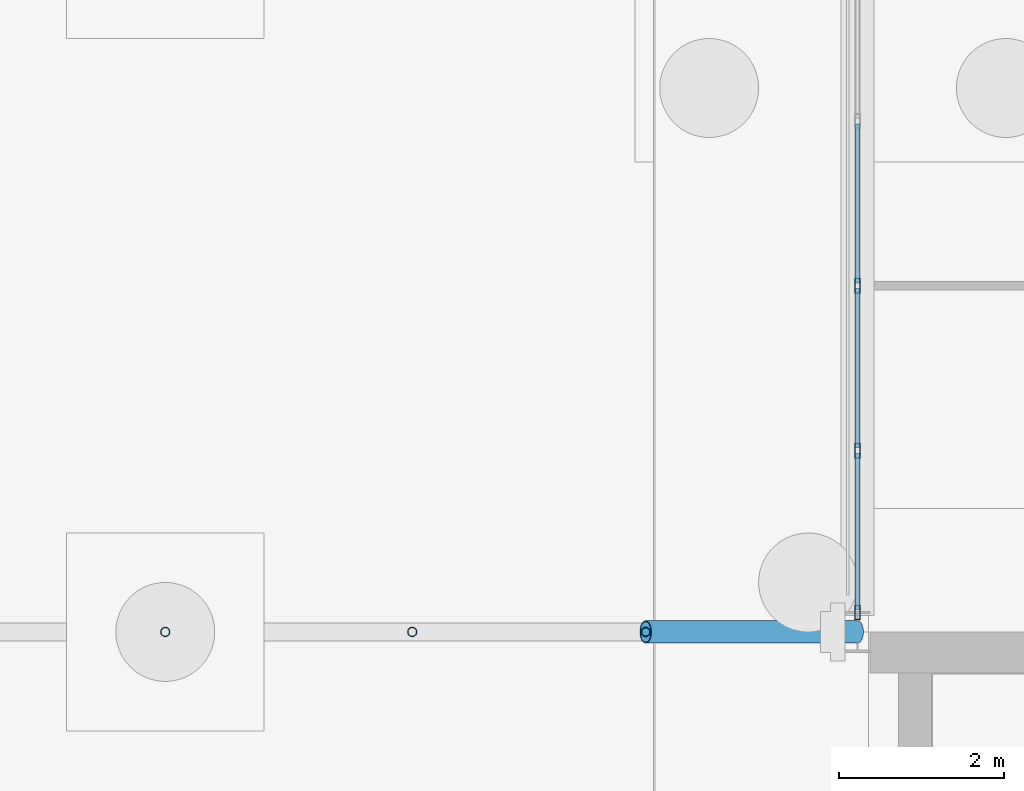
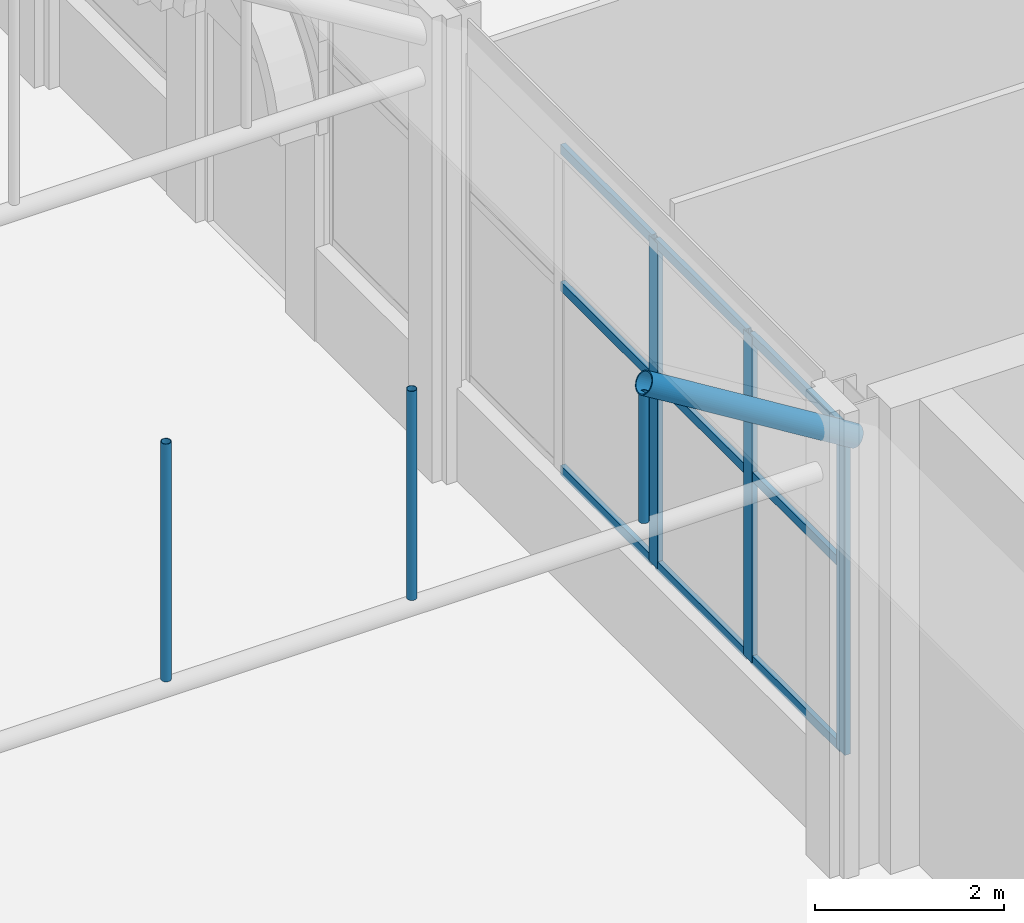
# One storey, part 145 of 212: 16 members, 1 element without a shape of its own.
"""IFC4 building model written with IfcOpenShell, lengths in metres."""

from ifc_helpers import new_model, si_unit, direction, frame, origin, origin_2d, place, context, subcontext, project, spatial, hollow_rectangle, hollow_circle, extrude, material, material_profile, profile_set, type_object, element, aggregate, save


model = new_model("IFC4")

# Units and contexts
model_context = context("Model", 3, precision=1e-05, world=origin(), true_north=direction((0.0, 1.0)))
body_context = subcontext(model_context, "Body", "Model", "MODEL_VIEW")
ifc_project = project(units=[si_unit("LENGTHUNIT", "METRE"), si_unit("AREAUNIT", "SQUARE_METRE"), si_unit("VOLUMEUNIT", "CUBIC_METRE"), si_unit("PLANEANGLEUNIT", "RADIAN"), si_unit("MASSUNIT", "GRAM", prefix="KILO")], contexts=[model_context])

# Site, building, storey
site_placement = place(None, origin())
site = spatial("IfcSite", under=ifc_project, at=site_placement, CompositionType="ELEMENT")
building_placement = place(site_placement, origin())
building = spatial("IfcBuilding", under=site, at=building_placement, Name="Catenary Quay Ferry Terminal", CompositionType="ELEMENT")
storey_placement = place(building_placement, origin())
storey = spatial("IfcBuildingStorey", under=building, at=storey_placement, Name="L00", CompositionType="ELEMENT", Elevation=0.0)

# Members
ifc_material_1 = material(Name="Steel S355", Category="steel")
ifc_material_profile_1 = material_profile(ifc_material_1, hollow_circle(Radius=0.05712890625, WallThickness=0.00634765625, at=origin_2d()), Name="CHS 114.3x6.3")
ifc_profile_set_1 = profile_set([ifc_material_profile_1], Name="Steel S355")
member_type_1 = type_object("IfcMemberType", Name="HG1 CHS 114.3x6.3", PredefinedType="POST", material=ifc_profile_set_1)
member_1_placement = place(storey_placement, frame((16.800048828125, 168.0, 5.205078125), z_axis=(0.0, 0.0, 1.0), x_axis=(1.0, 0.0, 0.0)))
element("IfcMember", 1, at=member_1_placement, inside=storey, type_object=member_type_1, Name="Hanger FC-13-03", PredefinedType="POST", context=body_context, shape_type="SweptSolid", body=[
    extrude(hollow_circle(Radius=0.05712890625, WallThickness=0.00634765625, at=origin_2d()), origin(), (0.0, 0.0, 1.0), 3.06494140625),
])
member_2_placement = place(storey_placement, frame((19.797119140625, 168.0, 5.205078125), z_axis=(0.0, 0.0, 1.0), x_axis=(1.0, 0.0, 0.0)))
element("IfcMember", 2, at=member_2_placement, inside=storey, type_object=member_type_1, Name="Hanger FC-13-04", PredefinedType="POST", context=body_context, shape_type="SweptSolid", body=[
    extrude(hollow_circle(Radius=0.05712890625, WallThickness=0.00634765625, at=origin_2d()), origin(), (0.0, 0.0, 1.0), 2.69580078125),
])
member_3_placement = place(storey_placement, frame((22.62890625, 168.0, 5.205078125), z_axis=(0.0, 0.0, 1.0), x_axis=(1.0, 0.0, 0.0)))
element("IfcMember", 3, at=member_3_placement, inside=storey, type_object=member_type_1, Name="Hanger FC-13-05", PredefinedType="POST", context=body_context, shape_type="SweptSolid", body=[
    extrude(hollow_circle(Radius=0.05712890625, WallThickness=0.00634765625, at=origin_2d()), origin(), (0.0, 0.0, 1.0), 1.64892578125),
])

# Curtain wall, members
ifc_material_2 = material(Name="Aluminium and glass", Category="aluminium")
curtain_wall_type = type_object("IfcCurtainWallType", Name="CWW1", PredefinedType="NOTDEFINED", material=ifc_material_2)
curtain_wall_placement = place(storey_placement, origin())
curtain_wall = element("IfcCurtainWall", 4, at=curtain_wall_placement, inside=storey, type_object=curtain_wall_type, Name="Wing curtain wall CW106", PredefinedType="NOTDEFINED")
ifc_material_3 = material(Name="Aluminium", Category="aluminium")
ifc_material_profile_2 = material_profile(ifc_material_3, hollow_rectangle(XDim=0.070068359375, YDim=0.179931640625, WallThickness=0.006103515625, at=origin_2d()), Name="MU3")
ifc_profile_set_2 = profile_set([ifc_material_profile_2], Name="Aluminium")
member_type_2 = type_object("IfcMemberType", Name="MU3", PredefinedType="MULLION", material=ifc_profile_set_2)
member_4_placement = place(storey_placement, frame((25.199951171875, 168.235107421875, 1.199951171875), z_axis=(0.0, 0.0, 1.0), x_axis=(-1.0, 0.0, 0.0)))
member_4 = element("IfcMember", 5, at=member_4_placement, type_object=member_type_2, Name="CW106 mullion 1", PredefinedType="MULLION", context=body_context, shape_type="SweptSolid", body=[
    extrude(hollow_rectangle(XDim=0.070068359375, YDim=0.179931640625, WallThickness=0.006103515625, at=origin_2d()), origin(), (0.0, 0.0, 1.0), 4.199951171875),
])
member_5_placement = place(storey_placement, frame((25.199951171875, 170.199951171875, 1.199951171875), z_axis=(0.0, 0.0, 1.0), x_axis=(-1.0, 0.0, 0.0)))
member_5 = element("IfcMember", 6, at=member_5_placement, type_object=member_type_2, Name="CW106 mullion 2", PredefinedType="MULLION", context=body_context, shape_type="SweptSolid", body=[
    extrude(hollow_rectangle(XDim=0.070068359375, YDim=0.179931640625, WallThickness=0.006103515625, at=origin_2d()), origin(), (0.0, 0.0, 1.0), 4.199951171875),
])
member_6_placement = place(storey_placement, frame((25.199951171875, 172.199951171875, 1.199951171875), z_axis=(0.0, 0.0, 1.0), x_axis=(-1.0, 0.0, 0.0)))
member_6 = element("IfcMember", 7, at=member_6_placement, type_object=member_type_2, Name="CW106 mullion 3", PredefinedType="MULLION", context=body_context, shape_type="SweptSolid", body=[
    extrude(hollow_rectangle(XDim=0.070068359375, YDim=0.179931640625, WallThickness=0.006103515625, at=origin_2d()), origin(), (0.0, 0.0, 1.0), 4.199951171875),
])
ifc_material_4 = material(Name="Aluminium", Category="aluminium")
ifc_material_profile_3 = material_profile(ifc_material_4, hollow_rectangle(XDim=0.06005859375, YDim=0.1201171875, WallThickness=0.0048828125, at=origin_2d()), Name="TR3")
ifc_profile_set_3 = profile_set([ifc_material_profile_3], Name="Aluminium")
member_type_3 = type_object("IfcMemberType", Name="TR3", PredefinedType="USERDEFINED", material=ifc_profile_set_3)
member_7_placement = place(storey_placement, frame((25.199951171875, 168.27001953125, 1.22998046875), z_axis=(0.0, 1.0, 0.0), x_axis=(-1.0, 0.0, 0.0)))
member_7 = element("IfcMember", 8, at=member_7_placement, type_object=member_type_3, Name="CW106 transom 1.1", ObjectType="TRANSOM", PredefinedType="USERDEFINED", context=body_context, shape_type="SweptSolid", body=[
    extrude(hollow_rectangle(XDim=0.06005859375, YDim=0.1201171875, WallThickness=0.0048828125, at=origin_2d()), origin(), (0.0, 0.0, 1.0), 1.89501953125),
])
member_8_placement = place(storey_placement, frame((25.199951171875, 168.27001953125, 3.60009765625), z_axis=(0.0, 1.0, 0.0), x_axis=(-1.0, 0.0, 0.0)))
member_8 = element("IfcMember", 9, at=member_8_placement, type_object=member_type_3, Name="CW106 transom 1.2", ObjectType="TRANSOM", PredefinedType="USERDEFINED", context=body_context, shape_type="SweptSolid", body=[
    extrude(hollow_rectangle(XDim=0.06005859375, YDim=0.1201171875, WallThickness=0.0048828125, at=origin_2d()), origin(), (0.0, 0.0, 1.0), 1.89501953125),
])
member_9_placement = place(storey_placement, frame((25.199951171875, 168.27001953125, 5.3701171875), z_axis=(0.0, 1.0, 0.0), x_axis=(-1.0, 0.0, 0.0)))
member_9 = element("IfcMember", 10, at=member_9_placement, type_object=member_type_3, Name="CW106 transom 1.3", ObjectType="TRANSOM", PredefinedType="USERDEFINED", context=body_context, shape_type="SweptSolid", body=[
    extrude(hollow_rectangle(XDim=0.06005859375, YDim=0.1201171875, WallThickness=0.0048828125, at=origin_2d()), origin(), (0.0, 0.0, 1.0), 1.89501953125),
])
member_10_placement = place(storey_placement, frame((25.199951171875, 170.235107421875, 1.22998046875), z_axis=(0.0, 1.0, 0.0), x_axis=(-1.0, 0.0, 0.0)))
member_10 = element("IfcMember", 11, at=member_10_placement, type_object=member_type_3, Name="CW106 transom 2.1", ObjectType="TRANSOM", PredefinedType="USERDEFINED", context=body_context, shape_type="SweptSolid", body=[
    extrude(hollow_rectangle(XDim=0.06005859375, YDim=0.1201171875, WallThickness=0.0048828125, at=origin_2d()), origin(), (0.0, 0.0, 1.0), 1.929931640625),
])
member_11_placement = place(storey_placement, frame((25.199951171875, 170.235107421875, 3.60009765625), z_axis=(0.0, 1.0, 0.0), x_axis=(-1.0, 0.0, 0.0)))
member_11 = element("IfcMember", 12, at=member_11_placement, type_object=member_type_3, Name="CW106 transom 2.2", ObjectType="TRANSOM", PredefinedType="USERDEFINED", context=body_context, shape_type="SweptSolid", body=[
    extrude(hollow_rectangle(XDim=0.06005859375, YDim=0.1201171875, WallThickness=0.0048828125, at=origin_2d()), origin(), (0.0, 0.0, 1.0), 1.929931640625),
])
member_12_placement = place(storey_placement, frame((25.199951171875, 170.235107421875, 5.3701171875), z_axis=(0.0, 1.0, 0.0), x_axis=(-1.0, 0.0, 0.0)))
member_12 = element("IfcMember", 13, at=member_12_placement, type_object=member_type_3, Name="CW106 transom 2.3", ObjectType="TRANSOM", PredefinedType="USERDEFINED", context=body_context, shape_type="SweptSolid", body=[
    extrude(hollow_rectangle(XDim=0.06005859375, YDim=0.1201171875, WallThickness=0.0048828125, at=origin_2d()), origin(), (0.0, 0.0, 1.0), 1.929931640625),
])
member_13_placement = place(storey_placement, frame((25.199951171875, 172.235107421875, 1.22998046875), z_axis=(0.0, 1.0, 0.0), x_axis=(-1.0, 0.0, 0.0)))
member_13 = element("IfcMember", 14, at=member_13_placement, type_object=member_type_3, Name="CW106 transom 3.1", ObjectType="TRANSOM", PredefinedType="USERDEFINED", context=body_context, shape_type="SweptSolid", body=[
    extrude(hollow_rectangle(XDim=0.06005859375, YDim=0.1201171875, WallThickness=0.0048828125, at=origin_2d()), origin(), (0.0, 0.0, 1.0), 1.929931640625),
])
member_14_placement = place(storey_placement, frame((25.199951171875, 172.235107421875, 3.60009765625), z_axis=(0.0, 1.0, 0.0), x_axis=(-1.0, 0.0, 0.0)))
member_14 = element("IfcMember", 15, at=member_14_placement, type_object=member_type_3, Name="CW106 transom 3.2", ObjectType="TRANSOM", PredefinedType="USERDEFINED", context=body_context, shape_type="SweptSolid", body=[
    extrude(hollow_rectangle(XDim=0.06005859375, YDim=0.1201171875, WallThickness=0.0048828125, at=origin_2d()), origin(), (0.0, 0.0, 1.0), 1.929931640625),
])
member_15_placement = place(storey_placement, frame((25.199951171875, 172.235107421875, 5.3701171875), z_axis=(0.0, 1.0, 0.0), x_axis=(-1.0, 0.0, 0.0)))
member_15 = element("IfcMember", 16, at=member_15_placement, type_object=member_type_3, Name="CW106 transom 3.3", ObjectType="TRANSOM", PredefinedType="USERDEFINED", context=body_context, shape_type="SweptSolid", body=[
    extrude(hollow_rectangle(XDim=0.06005859375, YDim=0.1201171875, WallThickness=0.0048828125, at=origin_2d()), origin(), (0.0, 0.0, 1.0), 1.929931640625),
])
aggregate(curtain_wall, [member_4, member_5, member_6, member_7, member_8, member_9, member_10, member_11, member_12, member_13, member_14, member_15])

# Member
ifc_material_5 = material(Name="Steel S355", Category="steel")
ifc_material_profile_4 = material_profile(ifc_material_5, hollow_circle(Radius=0.136474609375, WallThickness=0.012451171875, at=origin_2d()), Name="CHS 273x12.5")
ifc_profile_set_4 = profile_set([ifc_material_profile_4], Name="Steel S355")
member_type_4 = type_object("IfcMemberType", Name="VR2 CHS 273x12.5", PredefinedType="RAFTER", material=ifc_profile_set_4)
member_16_placement = place(storey_placement, frame((22.62890625, 168.0, 6.98388671875), z_axis=(0.851391726314, 0.0, -0.524530388408), x_axis=(0.0, 1.0, 0.0)))
element("IfcMember", 17, at=member_16_placement, inside=storey, type_object=member_type_4, Name="rib FC-13-06", PredefinedType="RAFTER", context=body_context, shape_type="SweptSolid", body=[
    extrude(hollow_circle(Radius=0.136474609375, WallThickness=0.012451171875, at=origin_2d()), origin(), (0.0, 0.0, 1.0), 3.019775390625),
])

save(model, "model.ifc")
